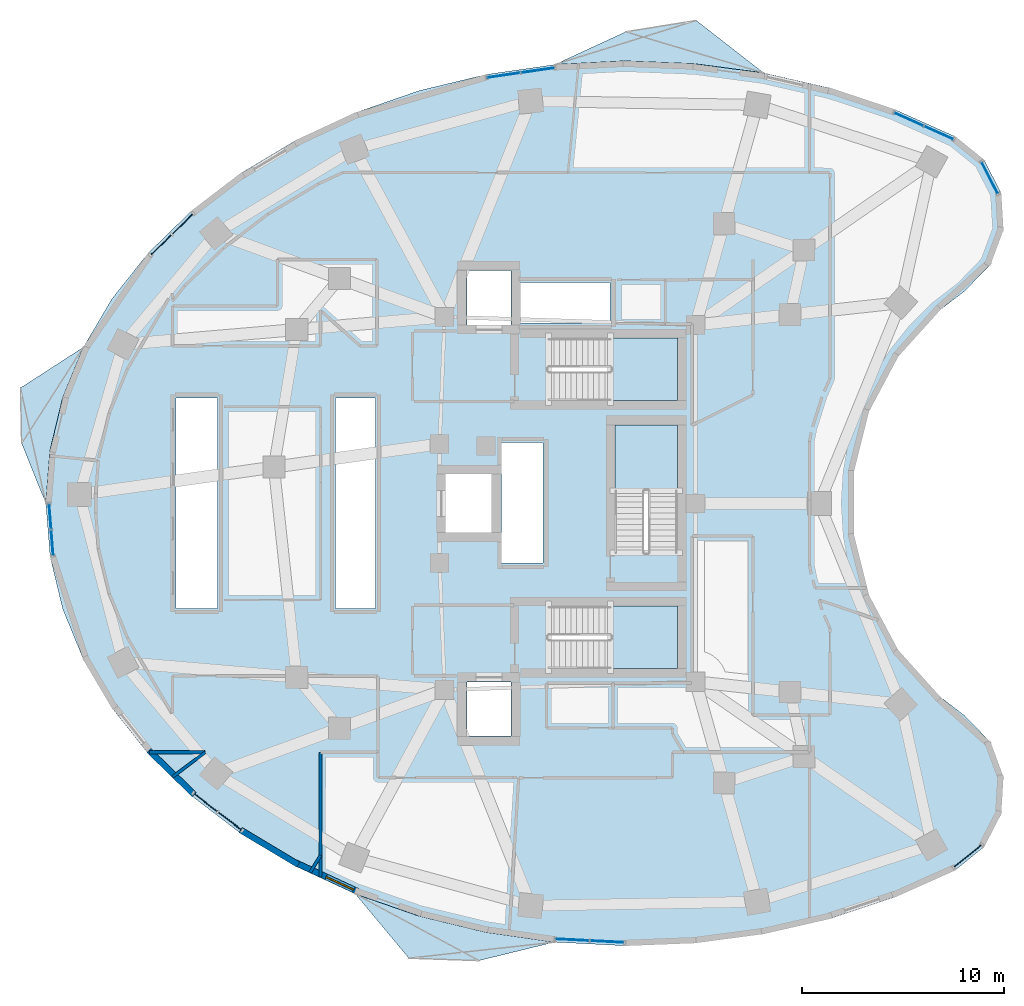
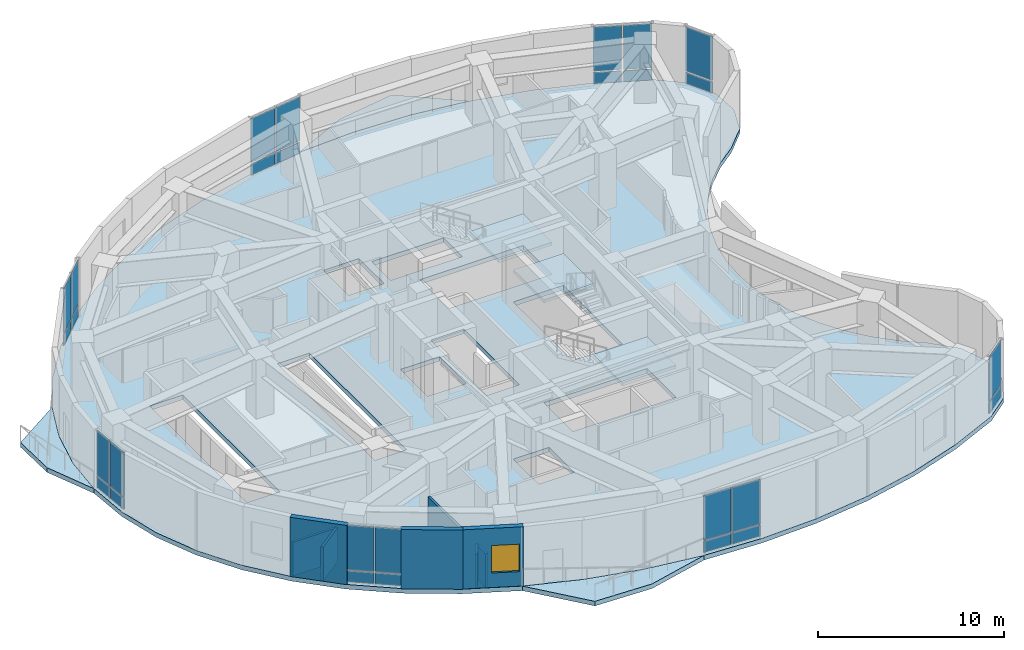
# One storey, part 5 of 13: 28 plates, 8 walls, 7 slabs, 1 window, 1 opening, 11 elements without a shape of their own.
"""IFC4 building model written with IfcOpenShell, lengths in metres."""

from ifc_helpers import new_model, si_unit, direction, frame, frame_2d, origin, origin_2d, place, context, subcontext, project, spatial, polyline, rectangle, outline, extrude, material, layer, layer_set, type_object, element, fill, aggregate, save


model = new_model("IFC4")

# Units and contexts
model_context = context("Model", 3, precision=1e-05, world=origin(), true_north=direction((0.0, 1.0)))
body_context = subcontext(model_context, "Body", "Model", "MODEL_VIEW")
ifc_project = project(units=[si_unit("LENGTHUNIT", "METRE"), si_unit("AREAUNIT", "SQUARE_METRE"), si_unit("VOLUMEUNIT", "CUBIC_METRE"), si_unit("PLANEANGLEUNIT", "RADIAN"), si_unit("MASSUNIT", "GRAM", prefix="KILO")], contexts=[model_context])

# Site, building, storey
site_placement = place(None, origin())
site = spatial("IfcSite", under=ifc_project, at=site_placement, CompositionType="ELEMENT")
building_placement = place(site_placement, origin())
building = spatial("IfcBuilding", under=site, at=building_placement, Name="Korentha Bioscience Tower", CompositionType="ELEMENT")
storey_placement = place(building_placement, frame((0.0, 0.0, 144.60009765625)))
storey = spatial("IfcBuildingStorey", under=building, at=storey_placement, Name="L33", CompositionType="ELEMENT", Elevation=144.60009765625)

# Curtain wall, plates
ifc_material_1 = material(Name="Thermally Broken Aluminium Frame", Category="aluminium")
ifc_layer_1 = layer(ifc_material_1, 0.219970703125, Name="Thermally Broken Aluminium Frame")
ifc_layer_set_1 = layer_set([ifc_layer_1], Name="Thermally Broken Aluminium Frame (CW-T1)")
curtain_wall_type = type_object("IfcCurtainWallType", Name="Standard Bioscience Lab Unitised Curtain Wall CW-T1", PredefinedType="USERDEFINED", material=ifc_layer_set_1)
curtain_wall_1_placement = place(storey_placement, origin())
curtain_wall_1 = element("IfcCurtainWall", 1, at=curtain_wall_1_placement, inside=storey, type_object=curtain_wall_type, Name="L33 Curtain Wall 01", ObjectType="UNITISED", PredefinedType="USERDEFINED")
ifc_material_2 = material(Name="Triple-Glazed Low-E Insulated Glass", Category="glass")
ifc_layer_2 = layer(ifc_material_2, 0.0439453125, Name="Triple-Glazed Low-E Insulated Glass")
ifc_layer_set_2 = layer_set([ifc_layer_2], Name="Triple-Glazed Low-E Insulated Glass (GL-44)")
plate_type = type_object("IfcPlateType", Name="Glazed Panel 44mm", PredefinedType="CURTAIN_PANEL", material=ifc_layer_set_2)
plate_1_placement = place(storey_placement, frame((49.61767578125, 45.385986328125, 0.08984375), z_axis=(0.0, 0.0, 1.0), x_axis=(-0.912686563127, 0.408660295952, 0.0)))
plate_1 = element("IfcPlate", 2, at=plate_1_placement, type_object=plate_type, Name="CW-L33-01 Bay 1 Glazed Panel 1", PredefinedType="CURTAIN_PANEL", context=body_context, shape_type="SweptSolid", body=[
    extrude(rectangle(XDim=1.54541015625, YDim=0.0439453125, at=origin_2d()), origin(), (0.0, 0.0, 1.0), 0.715087890625),
])
plate_2_placement = place(storey_placement, frame((49.61767578125, 45.385986328125, 0.894775390625), z_axis=(0.0, 0.0, 1.0), x_axis=(-0.912686563127, 0.408660295952, 0.0)))
plate_2 = element("IfcPlate", 3, at=plate_2_placement, type_object=plate_type, Name="CW-L33-01 Bay 1 Glazed Panel 2", PredefinedType="CURTAIN_PANEL", context=body_context, shape_type="SweptSolid", body=[
    extrude(rectangle(XDim=1.54541015625, YDim=0.0439453125, at=origin_2d()), origin(), (0.0, 0.0, 1.0), 2.89501953125),
])
plate_3_placement = place(storey_placement, frame((48.125, 46.05419921875, 0.08984375), z_axis=(0.0, 0.0, 1.0), x_axis=(-0.912686563127, 0.408660295952, 0.0)))
plate_3 = element("IfcPlate", 4, at=plate_3_placement, type_object=plate_type, Name="CW-L33-01 Bay 2 Glazed Panel 1", PredefinedType="CURTAIN_PANEL", context=body_context, shape_type="SweptSolid", body=[
    extrude(rectangle(XDim=1.54541015625, YDim=0.0439453125, at=origin_2d()), origin(), (0.0, 0.0, 1.0), 0.715087890625),
])
plate_4_placement = place(storey_placement, frame((48.125, 46.05419921875, 0.894775390625), z_axis=(0.0, 0.0, 1.0), x_axis=(-0.912686563127, 0.408660295952, 0.0)))
plate_4 = element("IfcPlate", 5, at=plate_4_placement, type_object=plate_type, Name="CW-L33-01 Bay 2 Glazed Panel 2", PredefinedType="CURTAIN_PANEL", context=body_context, shape_type="SweptSolid", body=[
    extrude(rectangle(XDim=1.54541015625, YDim=0.0439453125, at=origin_2d()), origin(), (0.0, 0.0, 1.0), 2.89501953125),
])
aggregate(curtain_wall_1, [plate_1, plate_2, plate_3, plate_4])

curtain_wall_2_placement = place(storey_placement, origin())
curtain_wall_2 = element("IfcCurtainWall", 6, at=curtain_wall_2_placement, inside=storey, type_object=curtain_wall_type, Name="L33 Curtain Wall 07", ObjectType="UNITISED", PredefinedType="USERDEFINED")
plate_5_placement = place(storey_placement, frame((29.724853515625, 48.486328125, 0.08984375), z_axis=(0.0, 0.0, 1.0), x_axis=(-0.989738282326, -0.14289203091, 0.0)))
plate_5 = element("IfcPlate", 7, at=plate_5_placement, type_object=plate_type, Name="CW-L33-07 Bay 1 Glazed Panel 1", PredefinedType="CURTAIN_PANEL", context=body_context, shape_type="SweptSolid", body=[
    extrude(rectangle(XDim=1.630615234375, YDim=0.0439453125, at=origin_2d()), origin(), (0.0, 0.0, 1.0), 0.715087890625),
])
plate_6_placement = place(storey_placement, frame((29.724853515625, 48.486328125, 0.894775390625), z_axis=(0.0, 0.0, 1.0), x_axis=(-0.989738282326, -0.14289203091, 0.0)))
plate_6 = element("IfcPlate", 8, at=plate_6_placement, type_object=plate_type, Name="CW-L33-07 Bay 1 Glazed Panel 2", PredefinedType="CURTAIN_PANEL", context=body_context, shape_type="SweptSolid", body=[
    extrude(rectangle(XDim=1.630615234375, YDim=0.0439453125, at=origin_2d()), origin(), (0.0, 0.0, 1.0), 2.89501953125),
])
plate_7_placement = place(storey_placement, frame((28.021728515625, 48.240478515625, 0.08984375), z_axis=(0.0, 0.0, 1.0), x_axis=(-0.989738282326, -0.14289203091, 0.0)))
plate_7 = element("IfcPlate", 9, at=plate_7_placement, type_object=plate_type, Name="CW-L33-07 Bay 2 Glazed Panel 1", PredefinedType="CURTAIN_PANEL", context=body_context, shape_type="SweptSolid", body=[
    extrude(rectangle(XDim=1.630615234375, YDim=0.0439453125, at=origin_2d()), origin(), (0.0, 0.0, 1.0), 0.715087890625),
])
plate_8_placement = place(storey_placement, frame((28.021728515625, 48.240478515625, 0.894775390625), z_axis=(0.0, 0.0, 1.0), x_axis=(-0.989738282326, -0.14289203091, 0.0)))
plate_8 = element("IfcPlate", 10, at=plate_8_placement, type_object=plate_type, Name="CW-L33-07 Bay 2 Glazed Panel 2", PredefinedType="CURTAIN_PANEL", context=body_context, shape_type="SweptSolid", body=[
    extrude(rectangle(XDim=1.630615234375, YDim=0.0439453125, at=origin_2d()), origin(), (0.0, 0.0, 1.0), 2.89501953125),
])
aggregate(curtain_wall_2, [plate_5, plate_6, plate_7, plate_8])

curtain_wall_3_placement = place(storey_placement, origin())
curtain_wall_3 = element("IfcCurtainWall", 11, at=curtain_wall_3_placement, inside=storey, type_object=curtain_wall_type, Name="L33 Curtain Wall 13", ObjectType="UNITISED", PredefinedType="USERDEFINED")
plate_9_placement = place(storey_placement, frame((12.09912109375, 40.858642578125, 0.08984375), z_axis=(0.0, 0.0, 1.0), x_axis=(-0.716095631804, -0.698002182025, 0.0)))
plate_9 = element("IfcPlate", 12, at=plate_9_placement, type_object=plate_type, Name="CW-L33-13 Bay 1 Glazed Panel 1", PredefinedType="CURTAIN_PANEL", context=body_context, shape_type="SweptSolid", body=[
    extrude(rectangle(XDim=1.39599609375, YDim=0.0439453125, at=origin_2d()), origin(), (0.0, 0.0, 1.0), 0.715087890625),
])
plate_10_placement = place(storey_placement, frame((12.09912109375, 40.858642578125, 0.894775390625), z_axis=(0.0, 0.0, 1.0), x_axis=(-0.716095631804, -0.698002182025, 0.0)))
plate_10 = element("IfcPlate", 13, at=plate_10_placement, type_object=plate_type, Name="CW-L33-13 Bay 1 Glazed Panel 2", PredefinedType="CURTAIN_PANEL", context=body_context, shape_type="SweptSolid", body=[
    extrude(rectangle(XDim=1.39599609375, YDim=0.0439453125, at=origin_2d()), origin(), (0.0, 0.0, 1.0), 2.89501953125),
])
plate_11_placement = place(storey_placement, frame((11.034912109375, 39.8212890625, 0.08984375), z_axis=(0.0, 0.0, 1.0), x_axis=(-0.716095631804, -0.698002182025, 0.0)))
plate_11 = element("IfcPlate", 14, at=plate_11_placement, type_object=plate_type, Name="CW-L33-13 Bay 2 Glazed Panel 1", PredefinedType="CURTAIN_PANEL", context=body_context, shape_type="SweptSolid", body=[
    extrude(rectangle(XDim=1.39599609375, YDim=0.0439453125, at=origin_2d()), origin(), (0.0, 0.0, 1.0), 0.715087890625),
])
plate_12_placement = place(storey_placement, frame((11.034912109375, 39.8212890625, 0.894775390625), z_axis=(0.0, 0.0, 1.0), x_axis=(-0.716095631804, -0.698002182025, 0.0)))
plate_12 = element("IfcPlate", 15, at=plate_12_placement, type_object=plate_type, Name="CW-L33-13 Bay 2 Glazed Panel 2", PredefinedType="CURTAIN_PANEL", context=body_context, shape_type="SweptSolid", body=[
    extrude(rectangle(XDim=1.39599609375, YDim=0.0439453125, at=origin_2d()), origin(), (0.0, 0.0, 1.0), 2.89501953125),
])
aggregate(curtain_wall_3, [plate_9, plate_10, plate_11, plate_12])

curtain_wall_4_placement = place(storey_placement, origin())
curtain_wall_4 = element("IfcCurtainWall", 16, at=curtain_wall_4_placement, inside=storey, type_object=curtain_wall_type, Name="L33 Curtain Wall 19", ObjectType="UNITISED", PredefinedType="USERDEFINED")
plate_13_placement = place(storey_placement, frame((5.52587890625, 26.35205078125, 0.08984375), z_axis=(0.0, 0.0, 1.0), x_axis=(0.079130214674, -0.996864288219, 0.0)))
plate_13 = element("IfcPlate", 17, at=plate_13_placement, type_object=plate_type, Name="CW-L33-19 Bay 1 Glazed Panel 1", PredefinedType="CURTAIN_PANEL", context=body_context, shape_type="SweptSolid", body=[
    extrude(rectangle(XDim=1.225341796875, YDim=0.0439453125, at=origin_2d()), origin(), (0.0, 0.0, 1.0), 0.715087890625),
])
plate_14_placement = place(storey_placement, frame((5.52587890625, 26.35205078125, 0.894775390625), z_axis=(0.0, 0.0, 1.0), x_axis=(0.079130214674, -0.996864288219, 0.0)))
plate_14 = element("IfcPlate", 18, at=plate_14_placement, type_object=plate_type, Name="CW-L33-19 Bay 1 Glazed Panel 2", PredefinedType="CURTAIN_PANEL", context=body_context, shape_type="SweptSolid", body=[
    extrude(rectangle(XDim=1.225341796875, YDim=0.0439453125, at=origin_2d()), origin(), (0.0, 0.0, 1.0), 2.89501953125),
])
plate_15_placement = place(storey_placement, frame((5.6298828125, 25.040771484375, 0.08984375), z_axis=(0.0, 0.0, 1.0), x_axis=(0.079130214674, -0.996864288219, 0.0)))
plate_15 = element("IfcPlate", 19, at=plate_15_placement, type_object=plate_type, Name="CW-L33-19 Bay 2 Glazed Panel 1", PredefinedType="CURTAIN_PANEL", context=body_context, shape_type="SweptSolid", body=[
    extrude(rectangle(XDim=1.225341796875, YDim=0.0439453125, at=origin_2d()), origin(), (0.0, 0.0, 1.0), 0.715087890625),
])
plate_16_placement = place(storey_placement, frame((5.6298828125, 25.040771484375, 0.894775390625), z_axis=(0.0, 0.0, 1.0), x_axis=(0.079130214674, -0.996864288219, 0.0)))
plate_16 = element("IfcPlate", 20, at=plate_16_placement, type_object=plate_type, Name="CW-L33-19 Bay 2 Glazed Panel 2", PredefinedType="CURTAIN_PANEL", context=body_context, shape_type="SweptSolid", body=[
    extrude(rectangle(XDim=1.225341796875, YDim=0.0439453125, at=origin_2d()), origin(), (0.0, 0.0, 1.0), 2.89501953125),
])
aggregate(curtain_wall_4, [plate_13, plate_14, plate_15, plate_16])

curtain_wall_5_placement = place(storey_placement, origin())
curtain_wall_5 = element("IfcCurtainWall", 21, at=curtain_wall_5_placement, inside=storey, type_object=curtain_wall_type, Name="L33 Curtain Wall 25", ObjectType="UNITISED", PredefinedType="USERDEFINED")
plate_17_placement = place(storey_placement, frame((13.234619140625, 12.162353515625, 0.08984375), z_axis=(0.0, 0.0, 1.0), x_axis=(0.794499603893, -0.607264669986, 0.0)))
plate_17 = element("IfcPlate", 22, at=plate_17_placement, type_object=plate_type, Name="CW-L33-25 Bay 1 Glazed Panel 1", PredefinedType="CURTAIN_PANEL", context=body_context, shape_type="SweptSolid", body=[
    extrude(rectangle(XDim=1.4462890625, YDim=0.0439453125, at=origin_2d()), origin(), (0.0, 0.0, 1.0), 0.715087890625),
])
plate_18_placement = place(storey_placement, frame((13.234619140625, 12.162353515625, 0.894775390625), z_axis=(0.0, 0.0, 1.0), x_axis=(0.794499603893, -0.607264669986, 0.0)))
plate_18 = element("IfcPlate", 23, at=plate_18_placement, type_object=plate_type, Name="CW-L33-25 Bay 1 Glazed Panel 2", PredefinedType="CURTAIN_PANEL", context=body_context, shape_type="SweptSolid", body=[
    extrude(rectangle(XDim=1.4462890625, YDim=0.0439453125, at=origin_2d()), origin(), (0.0, 0.0, 1.0), 2.89501953125),
])
plate_19_placement = place(storey_placement, frame((14.455078125, 11.229248046875, 0.08984375), z_axis=(0.0, 0.0, 1.0), x_axis=(0.794499603893, -0.607264669986, 0.0)))
plate_19 = element("IfcPlate", 24, at=plate_19_placement, type_object=plate_type, Name="CW-L33-25 Bay 2 Glazed Panel 1", PredefinedType="CURTAIN_PANEL", context=body_context, shape_type="SweptSolid", body=[
    extrude(rectangle(XDim=1.4462890625, YDim=0.0439453125, at=origin_2d()), origin(), (0.0, 0.0, 1.0), 0.715087890625),
])
plate_20_placement = place(storey_placement, frame((14.455078125, 11.229248046875, 0.894775390625), z_axis=(0.0, 0.0, 1.0), x_axis=(0.794499603893, -0.607264669986, 0.0)))
plate_20 = element("IfcPlate", 25, at=plate_20_placement, type_object=plate_type, Name="CW-L33-25 Bay 2 Glazed Panel 2", PredefinedType="CURTAIN_PANEL", context=body_context, shape_type="SweptSolid", body=[
    extrude(rectangle(XDim=1.4462890625, YDim=0.0439453125, at=origin_2d()), origin(), (0.0, 0.0, 1.0), 2.89501953125),
])
aggregate(curtain_wall_5, [plate_17, plate_18, plate_19, plate_20])

curtain_wall_6_placement = place(storey_placement, origin())
curtain_wall_6 = element("IfcCurtainWall", 26, at=curtain_wall_6_placement, inside=storey, type_object=curtain_wall_type, Name="L33 Curtain Wall 31", ObjectType="UNITISED", PredefinedType="USERDEFINED")
plate_21_placement = place(storey_placement, frame((31.436279296875, 5.346435546875, 0.08984375), z_axis=(0.0, 0.0, 1.0), x_axis=(0.998673231344, -0.051495407527, 0.0)))
plate_21 = element("IfcPlate", 27, at=plate_21_placement, type_object=plate_type, Name="CW-L33-31 Bay 1 Glazed Panel 1", PredefinedType="CURTAIN_PANEL", context=body_context, shape_type="SweptSolid", body=[
    extrude(rectangle(XDim=1.641845703125, YDim=0.0439453125, at=origin_2d()), origin(), (0.0, 0.0, 1.0), 0.715087890625),
])
plate_22_placement = place(storey_placement, frame((31.436279296875, 5.346435546875, 0.894775390625), z_axis=(0.0, 0.0, 1.0), x_axis=(0.998673231344, -0.051495407527, 0.0)))
plate_22 = element("IfcPlate", 28, at=plate_22_placement, type_object=plate_type, Name="CW-L33-31 Bay 1 Glazed Panel 2", PredefinedType="CURTAIN_PANEL", context=body_context, shape_type="SweptSolid", body=[
    extrude(rectangle(XDim=1.641845703125, YDim=0.0439453125, at=origin_2d()), origin(), (0.0, 0.0, 1.0), 2.89501953125),
])
plate_23_placement = place(storey_placement, frame((33.166015625, 5.25732421875, 0.08984375), z_axis=(0.0, 0.0, 1.0), x_axis=(0.998673231344, -0.051495407527, 0.0)))
plate_23 = element("IfcPlate", 29, at=plate_23_placement, type_object=plate_type, Name="CW-L33-31 Bay 2 Glazed Panel 1", PredefinedType="CURTAIN_PANEL", context=body_context, shape_type="SweptSolid", body=[
    extrude(rectangle(XDim=1.641845703125, YDim=0.0439453125, at=origin_2d()), origin(), (0.0, 0.0, 1.0), 0.715087890625),
])
plate_24_placement = place(storey_placement, frame((33.166015625, 5.25732421875, 0.894775390625), z_axis=(0.0, 0.0, 1.0), x_axis=(0.998673231344, -0.051495407527, 0.0)))
plate_24 = element("IfcPlate", 30, at=plate_24_placement, type_object=plate_type, Name="CW-L33-31 Bay 2 Glazed Panel 2", PredefinedType="CURTAIN_PANEL", context=body_context, shape_type="SweptSolid", body=[
    extrude(rectangle(XDim=1.641845703125, YDim=0.0439453125, at=origin_2d()), origin(), (0.0, 0.0, 1.0), 2.89501953125),
])
aggregate(curtain_wall_6, [plate_21, plate_22, plate_23, plate_24])

curtain_wall_7_placement = place(storey_placement, origin())
curtain_wall_7 = element("IfcCurtainWall", 31, at=curtain_wall_7_placement, inside=storey, type_object=curtain_wall_type, Name="L33 Curtain Wall 37", ObjectType="UNITISED", PredefinedType="USERDEFINED")
plate_25_placement = place(storey_placement, frame((51.04736328125, 9.506591796875, 0.08984375), z_axis=(0.0, 0.0, 1.0), x_axis=(0.777315301098, 0.629111216463, 0.0)))
plate_25 = element("IfcPlate", 32, at=plate_25_placement, type_object=plate_type, Name="CW-L33-37 Bay 1 Glazed Panel 1", PredefinedType="CURTAIN_PANEL", context=body_context, shape_type="SweptSolid", body=[
    extrude(rectangle(XDim=1.737548828125, YDim=0.0439453125, at=origin_2d()), origin(), (0.0, 0.0, 1.0), 0.715087890625),
])
plate_26_placement = place(storey_placement, frame((51.04736328125, 9.506591796875, 0.894775390625), z_axis=(0.0, 0.0, 1.0), x_axis=(0.777315301098, 0.629111216463, 0.0)))
plate_26 = element("IfcPlate", 33, at=plate_26_placement, type_object=plate_type, Name="CW-L33-37 Bay 1 Glazed Panel 2", PredefinedType="CURTAIN_PANEL", context=body_context, shape_type="SweptSolid", body=[
    extrude(rectangle(XDim=1.737548828125, YDim=0.0439453125, at=origin_2d()), origin(), (0.0, 0.0, 1.0), 2.89501953125),
])
aggregate(curtain_wall_7, [plate_25, plate_26])

curtain_wall_8_placement = place(storey_placement, origin())
curtain_wall_8 = element("IfcCurtainWall", 34, at=curtain_wall_8_placement, inside=storey, type_object=curtain_wall_type, Name="L33 Curtain Wall 61", ObjectType="UNITISED", PredefinedType="USERDEFINED")
plate_27_placement = place(storey_placement, frame((52.140380859375, 43.149658203125, 0.08984375), z_axis=(0.0, 0.0, 1.0), x_axis=(-0.457613117169, 0.889151412862, 0.0)))
plate_27 = element("IfcPlate", 35, at=plate_27_placement, type_object=plate_type, Name="CW-L33-61 Bay 1 Glazed Panel 1", PredefinedType="CURTAIN_PANEL", context=body_context, shape_type="SweptSolid", body=[
    extrude(rectangle(XDim=1.737548828125, YDim=0.0439453125, at=origin_2d()), origin(), (0.0, 0.0, 1.0), 0.715087890625),
])
plate_28_placement = place(storey_placement, frame((52.140380859375, 43.149658203125, 0.894775390625), z_axis=(0.0, 0.0, 1.0), x_axis=(-0.457613117169, 0.889151412862, 0.0)))
plate_28 = element("IfcPlate", 36, at=plate_28_placement, type_object=plate_type, Name="CW-L33-61 Bay 1 Glazed Panel 2", PredefinedType="CURTAIN_PANEL", context=body_context, shape_type="SweptSolid", body=[
    extrude(rectangle(XDim=1.737548828125, YDim=0.0439453125, at=origin_2d()), origin(), (0.0, 0.0, 1.0), 2.89501953125),
])
aggregate(curtain_wall_8, [plate_27, plate_28])

# Slab
ifc_material_3 = material(Name="Concrete C50", Category="concrete")
ifc_layer_3 = layer(ifc_material_3, 0.300048828125, Name="Concrete C50")
ifc_layer_set_3 = layer_set([ifc_layer_3], Name="Concrete C50 (SL-L300)")
slab_type_1 = type_object("IfcSlabType", Name="Laboratory Vibration-Controlled Slab 300", PredefinedType="FLOOR", material=ifc_layer_set_3)
slab_1_placement = place(storey_placement, frame((0.0, 0.0, -0.300048828125)))
element("IfcSlab", 37, at=slab_1_placement, inside=storey, type_object=slab_type_1, Name="L33 Tower Structural Floor Slab", PredefinedType="FLOOR", context=body_context, shape_type="SweptSolid", body=[
    extrude(outline(polyline([(50.433837890625, 45.19580078125), (47.439697265625, 46.53662109375), (44.2548828125, 47.59521484375), (40.925537109375, 48.3564453125), (37.5, 48.809326171875), (34.027587890625, 48.947265625), (30.558349609375, 48.7685546875), (27.142333984375, 48.275390625), (23.8291015625, 47.474853515625), (20.66650390625, 46.37890625), (17.69970703125, 45.003173828125), (14.972412109375, 43.367431640625), (12.52294921875, 41.495361328125), (10.3876953125, 39.413818359375), (8.5966796875, 37.1533203125), (7.17626953125, 34.74609375), (6.146484375, 32.22705078125), (5.52294921875, 29.632568359375), (5.31396484375, 27.0), (5.52294921875, 24.367431640625), (6.146484375, 21.77294921875), (7.17626953125, 19.25390625), (8.5966796875, 16.8466796875), (10.3876953125, 14.586181640625), (12.52294921875, 12.504638671875), (14.972412109375, 10.632568359375), (17.69970703125, 8.996826171875), (20.66650390625, 7.62109375), (23.8291015625, 6.525146484375), (27.142333984375, 5.724609375), (30.558349609375, 5.2314453125), (34.027587890625, 5.052734375), (37.5, 5.190673828125), (40.925537109375, 5.6435546875), (44.2548828125, 6.40478515625), (47.439697265625, 7.46337890625), (50.433837890625, 8.80419921875), (51.8623046875, 9.960205078125), (52.703125, 11.593994140625), (52.813720703125, 13.42822265625), (52.175537109375, 15.1513671875), (50.896484375, 16.470703125), (49.666259765625, 17.414794921875), (48.560302734375, 18.501708984375), (47.594970703125, 19.715087890625), (46.78466796875, 21.037353515625), (46.1416015625, 22.448486328125), (45.67529296875, 23.927490234375), (45.392578125, 25.4521484375), (45.298095703125, 27.0), (45.392578125, 28.5478515625), (45.67529296875, 30.072509765625), (46.1416015625, 31.551513671875), (46.78466796875, 32.962646484375), (47.594970703125, 34.284912109375), (48.560302734375, 35.498291015625), (49.666259765625, 36.585205078125), (50.896484375, 37.529296875), (52.175537109375, 38.8486328125), (52.813720703125, 40.57177734375), (52.703125, 42.406005859375), (51.8623046875, 44.039794921875), (50.433837890625, 45.19580078125)]), holes=[polyline([(30.25, 32.10009765625), (36.64990234375, 32.10009765625), (36.64990234375, 35.199951171875), (30.25, 35.199951171875), (30.25, 32.10009765625)]), polyline([(30.25, 18.800048828125), (36.64990234375, 18.800048828125), (36.64990234375, 21.89990234375), (30.25, 21.89990234375), (30.25, 18.800048828125)]), polyline([(36.64990234375, 24.550048828125), (36.64990234375, 30.89990234375), (33.550048828125, 30.89990234375), (33.550048828125, 24.550048828125), (36.64990234375, 24.550048828125)]), polyline([(11.780029296875, 21.780029296875), (13.820068359375, 21.780029296875), (13.820068359375, 32.219970703125), (11.780029296875, 32.219970703125), (11.780029296875, 21.780029296875)]), polyline([(19.679931640625, 21.780029296875), (21.669921875, 21.780029296875), (21.669921875, 32.219970703125), (19.679931640625, 32.219970703125), (19.679931640625, 21.780029296875)]), polyline([(27.929931640625, 24.030029296875), (29.969970703125, 24.030029296875), (29.969970703125, 30.02001953125), (27.929931640625, 30.02001953125), (27.929931640625, 24.030029296875)]), polyline([(28.860107421875, 35.93994140625), (33.31005859375, 35.93994140625), (33.31005859375, 37.9599609375), (28.860107421875, 37.9599609375), (28.860107421875, 35.93994140625)]), polyline([(26.199951171875, 15.449951171875), (28.39990234375, 15.449951171875), (28.39990234375, 18.14990234375), (26.199951171875, 18.14990234375), (26.199951171875, 15.449951171875)]), polyline([(26.199951171875, 35.85009765625), (28.39990234375, 35.85009765625), (28.39990234375, 38.550048828125), (26.199951171875, 38.550048828125), (26.199951171875, 35.85009765625)]), polyline([(25.14990234375, 25.550048828125), (27.550048828125, 25.550048828125), (27.550048828125, 28.449951171875), (25.14990234375, 28.449951171875), (25.14990234375, 25.550048828125)])]), origin(), (0.0, 0.0, 1.0), 0.300048828125),
])

# Stair, slab
ifc_material_4 = material(Name="Precast Concrete C50", Category="concrete")
stair_type = type_object("IfcStairType", Name="Core Exit Dog-Leg Stair 1450", PredefinedType="HALF_TURN_STAIR", material=ifc_material_4)
stair_1_placement = place(storey_placement, origin())
stair_1 = element("IfcStair", 38, at=stair_1_placement, inside=storey, type_object=stair_type, Name="L33 Tower North Pressurized Exit Stair ST-1", PredefinedType="HALF_TURN_STAIR")
ifc_layer_4 = layer(ifc_material_3, 0.199951171875, Name="Concrete C50")
ifc_layer_set_4 = layer_set([ifc_layer_4], Name="Concrete C50 (SL-LND)")
slab_type_2 = type_object("IfcSlabType", Name="Landing Slab 200", PredefinedType="LANDING", material=ifc_layer_set_4)
slab_2_placement = place(storey_placement, frame((0.0, 0.0, 1.89990234375)))
slab_2 = element("IfcSlab", 39, at=slab_2_placement, type_object=slab_type_2, Name="ST-1 landing 1", PredefinedType="LANDING", context=body_context, shape_type="SweptSolid", body=[
    extrude(outline(polyline([(33.330078125, 32.10009765625), (36.64990234375, 32.10009765625), (36.64990234375, 35.199951171875), (33.330078125, 35.199951171875), (33.330078125, 32.10009765625)])), origin(), (0.0, 0.0, 1.0), 0.199951171875),
])
aggregate(stair_1, [slab_2])

stair_2_placement = place(storey_placement, origin())
stair_2 = element("IfcStair", 40, at=stair_2_placement, inside=storey, type_object=stair_type, Name="L33 Tower South Pressurized Exit Stair ST-2", PredefinedType="HALF_TURN_STAIR")
slab_3_placement = place(storey_placement, frame((0.0, 0.0, 1.89990234375)))
slab_3 = element("IfcSlab", 41, at=slab_3_placement, type_object=slab_type_2, Name="ST-2 landing 1", PredefinedType="LANDING", context=body_context, shape_type="SweptSolid", body=[
    extrude(outline(polyline([(33.330078125, 18.800048828125), (36.64990234375, 18.800048828125), (36.64990234375, 21.89990234375), (33.330078125, 21.89990234375), (33.330078125, 18.800048828125)])), origin(), (0.0, 0.0, 1.0), 0.199951171875),
])
aggregate(stair_2, [slab_3])

stair_3_placement = place(storey_placement, origin())
stair_3 = element("IfcStair", 42, at=stair_3_placement, inside=storey, type_object=stair_type, Name="L33 Tower Central Pressurized Exit Stair ST-3", PredefinedType="HALF_TURN_STAIR")
slab_4_placement = place(storey_placement, frame((0.0, 0.0, 1.89990234375)))
slab_4 = element("IfcSlab", 43, at=slab_4_placement, type_object=slab_type_2, Name="ST-3 landing 1", PredefinedType="LANDING", context=body_context, shape_type="SweptSolid", body=[
    extrude(outline(polyline([(36.64990234375, 27.6298828125), (36.64990234375, 30.89990234375), (33.550048828125, 30.89990234375), (33.550048828125, 27.6298828125), (36.64990234375, 27.6298828125)])), origin(), (0.0, 0.0, 1.0), 0.199951171875),
])
aggregate(stair_3, [slab_4])

# Slabs
ifc_layer_5 = layer(ifc_material_3, 0.300048828125, Name="Concrete C50")
ifc_layer_set_5 = layer_set([ifc_layer_5], Name="Concrete C50 (BS-240)")
slab_type_3 = type_object("IfcSlabType", Name="Sawtooth Sun-Ledge Balcony Slab 240", PredefinedType="USERDEFINED", material=ifc_layer_set_5)
slab_5_placement = place(storey_placement, frame((0.0, 0.0, -0.300048828125)))
element("IfcSlab", 44, at=slab_5_placement, inside=storey, type_object=slab_type_3, Name="L33 Sun-Ledge Balcony 01", ObjectType="BALCONY", PredefinedType="USERDEFINED", context=body_context, shape_type="SweptSolid", body=[
    extrude(outline(polyline([(30.558349609375, 48.7685546875), (34.027587890625, 48.947265625), (37.5, 48.809326171875), (40.925537109375, 48.3564453125), (37.58544921875, 50.95751953125), (34.085205078125, 50.396240234375), (30.558349609375, 48.7685546875)])), origin(), (0.0, 0.0, 1.0), 0.300048828125),
])
slab_6_placement = place(storey_placement, frame((0.0, 0.0, -0.300048828125)))
element("IfcSlab", 45, at=slab_6_placement, inside=storey, type_object=slab_type_3, Name="L33 Sun-Ledge Balcony 02", ObjectType="BALCONY", PredefinedType="USERDEFINED", context=body_context, shape_type="SweptSolid", body=[
    extrude(outline(polyline([(5.31396484375, 27.0), (5.52294921875, 29.632568359375), (6.146484375, 32.22705078125), (7.17626953125, 34.74609375), (4.05615234375, 32.729736328125), (4.113037109375, 29.971435546875), (5.31396484375, 27.0)])), origin(), (0.0, 0.0, 1.0), 0.300048828125),
])
slab_7_placement = place(storey_placement, frame((0.0, 0.0, -0.300048828125)))
element("IfcSlab", 46, at=slab_7_placement, inside=storey, type_object=slab_type_3, Name="L33 Sun-Ledge Balcony 03", ObjectType="BALCONY", PredefinedType="USERDEFINED", context=body_context, shape_type="SweptSolid", body=[
    extrude(outline(polyline([(30.558349609375, 5.2314453125), (27.142333984375, 5.724609375), (23.8291015625, 6.525146484375), (20.66650390625, 7.62109375), (23.32421875, 4.435302734375), (26.802001953125, 4.315185546875), (30.558349609375, 5.2314453125)])), origin(), (0.0, 0.0, 1.0), 0.300048828125),
])

# Walls
ifc_material_5 = material(Name="Double-Stud Acoustic Gypsum", Category="gypsum")
ifc_layer_6 = layer(ifc_material_5, 0.14990234375, Name="Double-Stud Acoustic Gypsum")
ifc_layer_set_6 = layer_set([ifc_layer_6], Name="Double-Stud Acoustic Gypsum (IW-L150)")
wall_type_1 = type_object("IfcWallType", Name="Acoustic Laboratory Partition Wall 150", PredefinedType="PARTITIONING", material=ifc_layer_set_6)
wall_1_placement = place(storey_placement, frame((18.947998046875, 14.64794921875, 0.0), z_axis=(0.0, 0.0, 1.0), x_axis=(0.0, -1.0, 0.0)))
element("IfcWall", 47, at=wall_1_placement, inside=storey, type_object=wall_type_1, Name="L33 Interior Partition 033", PredefinedType="PARTITIONING", context=body_context, shape_type="SweptSolid", body=[
    extrude(rectangle(XDim=5.107421875, YDim=0.14990234375, at=frame_2d((2.5537109375, 0.0))), origin(), (0.0, 0.0, 1.0), 2.219970703125),
])
wall_2_placement = place(storey_placement, frame((18.947998046875, 9.540283203125, 0.0), z_axis=(0.0, 0.0, 1.0), x_axis=(-0.520996942726, -0.853558542615, 0.0)))
element("IfcWall", 48, at=wall_2_placement, inside=storey, type_object=wall_type_1, Name="L33 Interior Partition 034", PredefinedType="PARTITIONING", context=body_context, shape_type="SweptSolid", body=[
    extrude(rectangle(XDim=1.0029296875, YDim=0.14990234375, at=frame_2d((0.50146484375, 0.0))), origin(), (0.0, 0.0, 1.0), 2.219970703125),
])
wall_3_placement = place(storey_placement, frame((11.605224609375, 13.431640625, 0.0), z_axis=(0.0, 0.0, 1.0), x_axis=(0.798631749936, 0.601820012956, 0.0)))
element("IfcWall", 49, at=wall_3_placement, inside=storey, type_object=wall_type_1, Name="L33 Interior Partition 035", PredefinedType="PARTITIONING", context=body_context, shape_type="SweptSolid", body=[
    extrude(rectangle(XDim=2.015869140625, YDim=0.14990234375, at=frame_2d((1.0078125, 0.0))), origin(), (0.0, 0.0, 1.0), 2.219970703125),
])
wall_4_placement = place(storey_placement, frame((13.212646484375, 14.652099609375, 0.0), z_axis=(0.0, 0.0, 1.0), x_axis=(-1.0, 0.0, 0.0)))
element("IfcWall", 50, at=wall_4_placement, inside=storey, type_object=wall_type_1, Name="L33 Interior Partition 036", PredefinedType="PARTITIONING", context=body_context, shape_type="SweptSolid", body=[
    extrude(rectangle(XDim=2.7470703125, YDim=0.14990234375, at=frame_2d((1.37353515625, 0.0))), origin(), (0.0, 0.0, 1.0), 2.219970703125),
])
wall_5_placement = place(storey_placement, frame((18.951904296875, 8.4658203125, 0.0), z_axis=(0.0, 0.0, 1.0), x_axis=(0.0, 1.0, 0.0)))
element("IfcWall", 51, at=wall_5_placement, inside=storey, type_object=wall_type_1, Name="L33 Interior Partition 037", PredefinedType="PARTITIONING", context=body_context, shape_type="SweptSolid", body=[
    extrude(rectangle(XDim=1.06201171875, YDim=0.14990234375, at=frame_2d((0.531005859375, 0.0))), origin(), (0.0, 0.0, 1.0), 2.219970703125),
])

# Wall, opening, window
ifc_material_6 = material(Name="Honed Limestone Precast Concrete C40", Category="masonry")
ifc_layer_7 = layer(ifc_material_6, 0.300048828125, Name="Honed Limestone Precast Concrete C40")
ifc_layer_set_7 = layer_set([ifc_layer_7], Name="Honed Limestone Precast Concrete C40 (EW-ST300)")
wall_type_2 = type_object("IfcWallType", Name="Honed Limestone Cavity Spandrel Wall 300", PredefinedType="STANDARD", material=ifc_layer_set_7)
wall_6_placement = place(storey_placement, frame((17.712646484375, 9.167236328125, 0.0), z_axis=(0.0, 0.0, 1.0), x_axis=(0.907218110188, -0.42066055264, 0.0)))
wall_6 = element("IfcWall", 52, at=wall_6_placement, inside=storey, type_object=wall_type_2, Name="L33 Honed Limestone Spandrel Wall 27", PredefinedType="STANDARD", context=body_context, shape_type="SweptSolid", body=[
    extrude(rectangle(XDim=3.389892578125, YDim=0.300048828125, at=frame_2d((1.69482421875, 0.0))), origin(), (0.0, 0.0, 1.0), 3.8798828125),
])
opening_placement = place(wall_6_placement, frame((1.667724609375, 0.0, 0.949951171875)))
opening = element("IfcOpeningElement", 53, at=opening_placement, cuts=wall_6, Name="Opening WN-02", PredefinedType="OPENING", context=body_context, shape_type="SweptSolid", body=[
    extrude(rectangle(XDim=1.5, YDim=1.800048828125, at=frame_2d((0.75, 0.89990234375))), frame((0.0, 0.1650390625, 0.0), z_axis=(0.0, -1.0, 0.0), x_axis=(1.0, 0.0, 0.0)), (0.0, 0.0, 1.0), 0.329833984375),
])
ifc_material_7 = material(Name="Thermally Broken Aluminium Triple Glazing", Category="aluminium")
window_type = type_object("IfcWindowType", Name="Acoustic Operable Office Window 1500x1800", PartitioningType="DOUBLE_PANEL_VERTICAL", PredefinedType="WINDOW", material=ifc_material_7)
window_placement = place(opening_placement, origin())
window = element("IfcWindow", 54, at=window_placement, inside=storey, type_object=window_type, Name="L33 Facade Window 27", OverallHeight=1.800048828125, OverallWidth=1.5, PartitioningType="DOUBLE_PANEL_VERTICAL", PredefinedType="WINDOW", context=body_context, shape_type="SweptSolid", body=[
    extrude(rectangle(XDim=1.5, YDim=1.800048828125, at=frame_2d((0.75, 0.89990234375))), frame((0.0, 0.030029296875, 0.0), z_axis=(0.0, -1.0, 0.0), x_axis=(1.0, 0.0, 0.0)), (0.0, 0.0, 1.0), 0.06005859375),
])
fill(opening, window)

# Walls
wall_7_placement = place(storey_placement, frame((10.427978515625, 14.7421875, 0.0), z_axis=(0.0, 0.0, 1.0), x_axis=(0.716101112291, -0.69799655943, 0.0)))
element("IfcWall", 55, at=wall_7_placement, inside=storey, type_object=wall_type_2, Name="L33 Limestone Perimeter Closure Wall 24", PredefinedType="STANDARD", context=body_context, shape_type="SweptSolid", body=[
    extrude(rectangle(XDim=3.14208984375, YDim=0.300048828125, at=frame_2d((1.571044921875, 0.0))), origin(), (0.0, 0.0, 1.0), 3.8798828125),
])
wall_8_placement = place(storey_placement, frame((14.9755859375, 10.793701171875, 0.0), z_axis=(0.0, 0.0, 1.0), x_axis=(0.857602536704, -0.514313026316, 0.0)))
element("IfcWall", 56, at=wall_8_placement, inside=storey, type_object=wall_type_2, Name="L33 Limestone Perimeter Closure Wall 26", PredefinedType="STANDARD", context=body_context, shape_type="SweptSolid", body=[
    extrude(rectangle(XDim=3.34033203125, YDim=0.300048828125, at=frame_2d((1.670166015625, 0.0))), origin(), (0.0, 0.0, 1.0), 3.8798828125),
])

save(model, "model.ifc")
